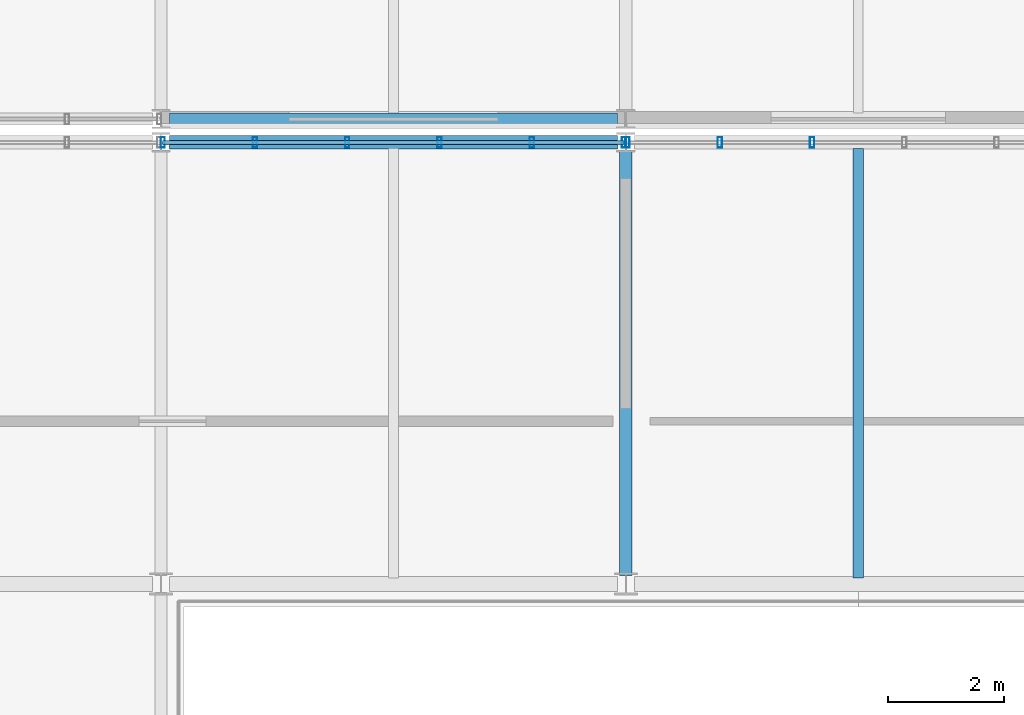
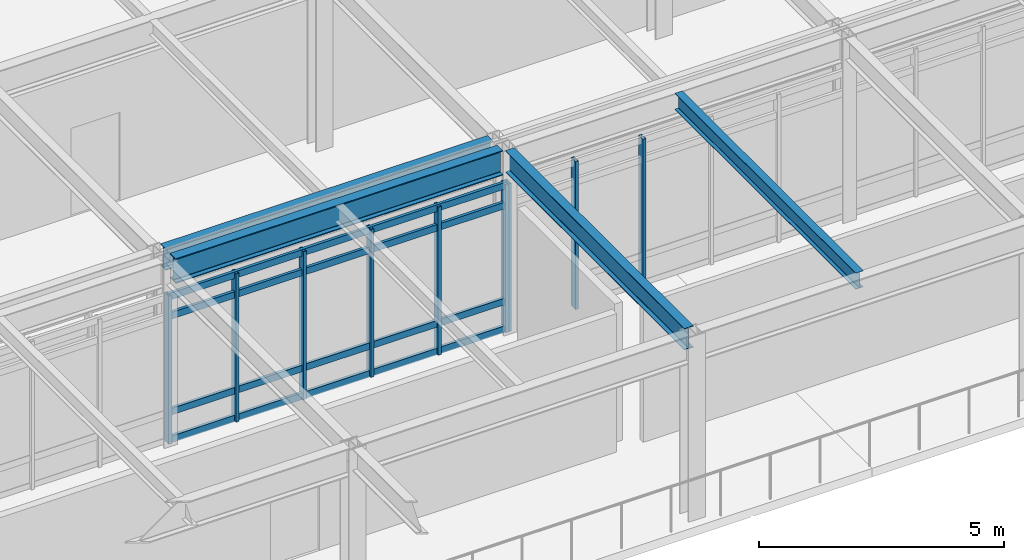
# One storey, part 50 of 104: 13 members, 4 beams, 2 elements without a shape of their own.
"""IFC4 building model written with IfcOpenShell, lengths in metres."""

from ifc_helpers import new_model, si_unit, direction, frame, origin, origin_2d, place, context, subcontext, project, spatial, hollow_rectangle, i_section, extrude, material, material_profile, profile_set, type_object, element, aggregate, save


model = new_model("IFC4")

# Units and contexts
model_context = context("Model", 3, precision=1e-05, world=origin(), true_north=direction((0.0, 1.0)))
body_context = subcontext(model_context, "Body", "Model", "MODEL_VIEW")
ifc_project = project(units=[si_unit("LENGTHUNIT", "METRE"), si_unit("AREAUNIT", "SQUARE_METRE"), si_unit("VOLUMEUNIT", "CUBIC_METRE"), si_unit("PLANEANGLEUNIT", "RADIAN"), si_unit("MASSUNIT", "GRAM", prefix="KILO")], contexts=[model_context])

# Site, building, storey
site_placement = place(None, origin())
site = spatial("IfcSite", under=ifc_project, at=site_placement, CompositionType="ELEMENT")
building_placement = place(site_placement, origin())
building = spatial("IfcBuilding", under=site, at=building_placement, Name="Zulena Civic Courthouse", CompositionType="ELEMENT")
storey_placement = place(building_placement, frame((0.0, 0.0, 10.800048828125)))
storey = spatial("IfcBuildingStorey", under=building, at=storey_placement, Name="L02", CompositionType="ELEMENT", Elevation=10.800048828125)

# Curtain wall, members
ifc_material_1 = material(Name="Double-silver low-E laminated solar-control glass", Category="glass")
curtain_wall_type = type_object("IfcCurtainWallType", Name="CW_7940x3690", PredefinedType="USERDEFINED", material=ifc_material_1)
curtain_wall_1_placement = place(storey_placement, origin())
curtain_wall_1 = element("IfcCurtainWall", 1, at=curtain_wall_1_placement, inside=storey, type_object=curtain_wall_type, Name="cw:V4:L02:1:2", ObjectType="UNITISED CURTAIN WALL", PredefinedType="USERDEFINED")
ifc_material_2 = material(Name="Bronze anodised thermally broken aluminium AA6063-T6", Category="aluminium")
ifc_material_profile_1 = material_profile(ifc_material_2, hollow_rectangle(XDim=0.074951171875, YDim=0.179931640625, WallThickness=0.0048828125, at=origin_2d()), Name="CWM180X75X5")
ifc_profile_set_1 = profile_set([ifc_material_profile_1], Name="Bronze anodised thermally broken aluminium AA6063-T6")
member_type_1 = type_object("IfcMemberType", Name="CWMullion_180x75", PredefinedType="MULLION", material=ifc_profile_set_1)
member_1_placement = place(storey_placement, frame((84.030029296875, 45.60009765625, 0.0), z_axis=(0.0, 0.0, 1.0), x_axis=(1.0, 0.0, 0.0)))
member_1 = element("IfcMember", 2, at=member_1_placement, type_object=member_type_1, Name="cw:V4:L02:1:2:mull:0", PredefinedType="MULLION", context=body_context, shape_type="SweptSolid", body=[
    extrude(hollow_rectangle(XDim=0.074951171875, YDim=0.179931640625, WallThickness=0.0048828125, at=origin_2d()), origin(), (0.0, 0.0, 1.0), 3.68994140625),
])
member_2_placement = place(storey_placement, frame((85.617919921875, 45.60009765625, 0.0), z_axis=(0.0, 0.0, 1.0), x_axis=(1.0, 0.0, 0.0)))
member_2 = element("IfcMember", 3, at=member_2_placement, type_object=member_type_1, Name="cw:V4:L02:1:2:mull:1", PredefinedType="MULLION", context=body_context, shape_type="SweptSolid", body=[
    extrude(hollow_rectangle(XDim=0.074951171875, YDim=0.179931640625, WallThickness=0.0048828125, at=origin_2d()), origin(), (0.0, 0.0, 1.0), 3.68994140625),
])
member_3_placement = place(storey_placement, frame((87.2060546875, 45.60009765625, 0.0), z_axis=(0.0, 0.0, 1.0), x_axis=(1.0, 0.0, 0.0)))
member_3 = element("IfcMember", 4, at=member_3_placement, type_object=member_type_1, Name="cw:V4:L02:1:2:mull:2", PredefinedType="MULLION", context=body_context, shape_type="SweptSolid", body=[
    extrude(hollow_rectangle(XDim=0.074951171875, YDim=0.179931640625, WallThickness=0.0048828125, at=origin_2d()), origin(), (0.0, 0.0, 1.0), 3.68994140625),
])
member_4_placement = place(storey_placement, frame((88.7939453125, 45.60009765625, 0.0), z_axis=(0.0, 0.0, 1.0), x_axis=(1.0, 0.0, 0.0)))
member_4 = element("IfcMember", 5, at=member_4_placement, type_object=member_type_1, Name="cw:V4:L02:1:2:mull:3", PredefinedType="MULLION", context=body_context, shape_type="SweptSolid", body=[
    extrude(hollow_rectangle(XDim=0.074951171875, YDim=0.179931640625, WallThickness=0.0048828125, at=origin_2d()), origin(), (0.0, 0.0, 1.0), 3.68994140625),
])
member_5_placement = place(storey_placement, frame((90.382080078125, 45.60009765625, 0.0), z_axis=(0.0, 0.0, 1.0), x_axis=(1.0, 0.0, 0.0)))
member_5 = element("IfcMember", 6, at=member_5_placement, type_object=member_type_1, Name="cw:V4:L02:1:2:mull:4", PredefinedType="MULLION", context=body_context, shape_type="SweptSolid", body=[
    extrude(hollow_rectangle(XDim=0.074951171875, YDim=0.179931640625, WallThickness=0.0048828125, at=origin_2d()), origin(), (0.0, 0.0, 1.0), 3.68994140625),
])
member_6_placement = place(storey_placement, frame((91.969970703125, 45.60009765625, 0.0), z_axis=(0.0, 0.0, 1.0), x_axis=(1.0, 0.0, 0.0)))
member_6 = element("IfcMember", 7, at=member_6_placement, type_object=member_type_1, Name="cw:V4:L02:1:2:mull:5", PredefinedType="MULLION", context=body_context, shape_type="SweptSolid", body=[
    extrude(hollow_rectangle(XDim=0.074951171875, YDim=0.179931640625, WallThickness=0.0048828125, at=origin_2d()), origin(), (0.0, 0.0, 1.0), 3.68994140625),
])

curtain_wall_2_placement = place(storey_placement, origin())
curtain_wall_2 = element("IfcCurtainWall", 8, at=curtain_wall_2_placement, inside=storey, type_object=curtain_wall_type, Name="cw:V4:L02:1:3", ObjectType="UNITISED CURTAIN WALL", PredefinedType="USERDEFINED")
member_7_placement = place(storey_placement, frame((92.030029296875, 45.60009765625, 0.0), z_axis=(0.0, 0.0, 1.0), x_axis=(1.0, 0.0, 0.0)))
member_7 = element("IfcMember", 9, at=member_7_placement, type_object=member_type_1, Name="cw:V4:L02:1:3:mull:0", PredefinedType="MULLION", context=body_context, shape_type="SweptSolid", body=[
    extrude(hollow_rectangle(XDim=0.074951171875, YDim=0.179931640625, WallThickness=0.0048828125, at=origin_2d()), origin(), (0.0, 0.0, 1.0), 3.68994140625),
])
member_8_placement = place(storey_placement, frame((93.617919921875, 45.60009765625, 0.0), z_axis=(0.0, 0.0, 1.0), x_axis=(1.0, 0.0, 0.0)))
member_8 = element("IfcMember", 10, at=member_8_placement, type_object=member_type_1, Name="cw:V4:L02:1:3:mull:1", PredefinedType="MULLION", context=body_context, shape_type="SweptSolid", body=[
    extrude(hollow_rectangle(XDim=0.074951171875, YDim=0.179931640625, WallThickness=0.0048828125, at=origin_2d()), origin(), (0.0, 0.0, 1.0), 3.68994140625),
])
member_9_placement = place(storey_placement, frame((95.2060546875, 45.60009765625, 0.0), z_axis=(0.0, 0.0, 1.0), x_axis=(1.0, 0.0, 0.0)))
member_9 = element("IfcMember", 11, at=member_9_placement, type_object=member_type_1, Name="cw:V4:L02:1:3:mull:2", PredefinedType="MULLION", context=body_context, shape_type="SweptSolid", body=[
    extrude(hollow_rectangle(XDim=0.074951171875, YDim=0.179931640625, WallThickness=0.0048828125, at=origin_2d()), origin(), (0.0, 0.0, 1.0), 3.68994140625),
])
aggregate(curtain_wall_2, [member_7, member_8, member_9])

# Member
ifc_material_profile_2 = material_profile(ifc_material_2, hollow_rectangle(XDim=0.070068359375, YDim=0.1650390625, WallThickness=0.00390625, at=origin_2d()), Name="CWT165X70X4")
ifc_profile_set_2 = profile_set([ifc_material_profile_2], Name="Bronze anodised thermally broken aluminium AA6063-T6")
member_type_2 = type_object("IfcMemberType", Name="CWTransom_165x70", PredefinedType="USERDEFINED", material=ifc_profile_set_2)
member_10_placement = place(storey_placement, frame((84.030029296875, 45.60009765625, 0.06005859375), z_axis=(1.0, 0.0, 0.0), x_axis=(0.0, 1.0, 0.0)))
member_10 = element("IfcMember", 12, at=member_10_placement, type_object=member_type_2, Name="cw:V4:L02:1:2:tran:0", ObjectType="TRANSOM", PredefinedType="USERDEFINED", context=body_context, shape_type="SweptSolid", body=[
    extrude(hollow_rectangle(XDim=0.070068359375, YDim=0.1650390625, WallThickness=0.00390625, at=origin_2d()), origin(), (0.0, 0.0, 1.0), 7.93994140625),
])

member_11_placement = place(storey_placement, frame((84.030029296875, 45.60009765625, 0.75), z_axis=(1.0, 0.0, 0.0), x_axis=(0.0, 1.0, 0.0)))
member_11 = element("IfcMember", 13, at=member_11_placement, type_object=member_type_2, Name="cw:V4:L02:1:2:tran:1", ObjectType="TRANSOM", PredefinedType="USERDEFINED", context=body_context, shape_type="SweptSolid", body=[
    extrude(hollow_rectangle(XDim=0.070068359375, YDim=0.1650390625, WallThickness=0.00390625, at=origin_2d()), origin(), (0.0, 0.0, 1.0), 7.93994140625),
])

member_12_placement = place(storey_placement, frame((84.030029296875, 45.60009765625, 3.139892578125), z_axis=(1.0, 0.0, 0.0), x_axis=(0.0, 1.0, 0.0)))
member_12 = element("IfcMember", 14, at=member_12_placement, type_object=member_type_2, Name="cw:V4:L02:1:2:tran:2", ObjectType="TRANSOM", PredefinedType="USERDEFINED", context=body_context, shape_type="SweptSolid", body=[
    extrude(hollow_rectangle(XDim=0.070068359375, YDim=0.1650390625, WallThickness=0.00390625, at=origin_2d()), origin(), (0.0, 0.0, 1.0), 7.93994140625),
])

member_13_placement = place(storey_placement, frame((84.030029296875, 45.60009765625, 3.6298828125), z_axis=(1.0, 0.0, 0.0), x_axis=(0.0, 1.0, 0.0)))
member_13 = element("IfcMember", 15, at=member_13_placement, type_object=member_type_2, Name="cw:V4:L02:1:2:tran:3", ObjectType="TRANSOM", PredefinedType="USERDEFINED", context=body_context, shape_type="SweptSolid", body=[
    extrude(hollow_rectangle(XDim=0.070068359375, YDim=0.1650390625, WallThickness=0.00390625, at=origin_2d()), origin(), (0.0, 0.0, 1.0), 7.93994140625),
])

aggregate(curtain_wall_1, [member_1, member_2, member_3, member_4, member_5, member_6, member_10, member_11, member_12, member_13])

# Beams
ifc_material_3 = material(Name="Steel ASTM A992 Grade 50", Category="steel")
ifc_material_profile_3 = material_profile(ifc_material_3, i_section(OverallWidth=0.177978515625, OverallDepth=0.406005859375, WebThickness=0.0078125, FlangeThickness=0.0126953125, FilletRadius=0.01025390625, at=origin_2d()), Name="W16X40")
ifc_profile_set_3 = profile_set([ifc_material_profile_3], Name="Steel ASTM A992 Grade 50")
beam_type_1 = type_object("IfcBeamType", Name="Joist_W16X40", PredefinedType="JOIST", material=ifc_profile_set_3)
beam_1_placement = place(storey_placement, frame((96.0, 38.10498046875, 4.386962890625), z_axis=(0.0, 1.0, 0.0), x_axis=(-1.0, 0.0, 0.0)))
element("IfcBeam", 16, at=beam_1_placement, inside=storey, type_object=beam_type_1, Name="joist:V4:L02:96.00:38.0_45.6", PredefinedType="JOIST", context=body_context, shape_type="SweptSolid", body=[
    extrude(i_section(OverallWidth=0.177978515625, OverallDepth=0.406005859375, WebThickness=0.0078125, FlangeThickness=0.0126953125, FilletRadius=0.01025390625, at=origin_2d()), origin(), (0.0, 0.0, 1.0), 7.39013671875),
])
ifc_material_profile_4 = material_profile(ifc_material_3, i_section(OverallWidth=0.2099609375, OverallDepth=0.537109375, WebThickness=0.010986328125, FlangeThickness=0.017333984375, FilletRadius=0.0126953125, at=origin_2d()), Name="W21X68")
ifc_profile_set_4 = profile_set([ifc_material_profile_4], Name="Steel ASTM A992 Grade 50")
beam_type_2 = type_object("IfcBeamType", Name="Spandrel_W21X68", PredefinedType="SPANDREL", material=ifc_profile_set_4)
beam_2_placement = place(storey_placement, frame((92.0, 38.14501953125, 4.321533203125), z_axis=(0.0, 1.0, 0.0), x_axis=(-1.0, 0.0, 0.0)))
element("IfcBeam", 17, at=beam_2_placement, inside=storey, type_object=beam_type_2, Name="beam:Y:V4:L02:92.0:38.0_45.6", PredefinedType="SPANDREL", context=body_context, shape_type="SweptSolid", body=[
    extrude(i_section(OverallWidth=0.2099609375, OverallDepth=0.537109375, WebThickness=0.010986328125, FlangeThickness=0.017333984375, FilletRadius=0.0126953125, at=origin_2d()), origin(), (0.0, 0.0, 1.0), 7.31005859375),
])
beam_3_placement = place(storey_placement, frame((84.14501953125, 46.0, 4.321533203125), z_axis=(1.0, 0.0, 0.0), x_axis=(0.0, 1.0, 0.0)))
element("IfcBeam", 18, at=beam_3_placement, inside=storey, type_object=beam_type_2, Name="beam:X:V5:L02:46.0:84.0_92.0", PredefinedType="SPANDREL", context=body_context, shape_type="SweptSolid", body=[
    extrude(i_section(OverallWidth=0.2099609375, OverallDepth=0.537109375, WebThickness=0.010986328125, FlangeThickness=0.017333984375, FilletRadius=0.0126953125, at=origin_2d()), origin(), (0.0, 0.0, 1.0), 7.7099609375),
])
ifc_material_profile_5 = material_profile(ifc_material_3, i_section(OverallWidth=0.22998046875, OverallDepth=0.616943359375, WebThickness=0.01318359375, FlangeThickness=0.022216796875, FilletRadius=0.0126953125, at=origin_2d()), Name="W24X94")
ifc_profile_set_5 = profile_set([ifc_material_profile_5], Name="Steel ASTM A992 Grade 50")
beam_type_3 = type_object("IfcBeamType", Name="Spandrel_W24X94", PredefinedType="SPANDREL", material=ifc_profile_set_5)
beam_4_placement = place(storey_placement, frame((84.14501953125, 45.60009765625, 4.281494140625), z_axis=(1.0, 0.0, 0.0), x_axis=(0.0, 1.0, 0.0)))
element("IfcBeam", 19, at=beam_4_placement, inside=storey, type_object=beam_type_3, Name="beam:X:V4:L02:45.6:84.0_92.0", PredefinedType="SPANDREL", context=body_context, shape_type="SweptSolid", body=[
    extrude(i_section(OverallWidth=0.22998046875, OverallDepth=0.616943359375, WebThickness=0.01318359375, FlangeThickness=0.022216796875, FilletRadius=0.0126953125, at=origin_2d()), origin(), (0.0, 0.0, 1.0), 7.7099609375),
])

save(model, "model.ifc")
